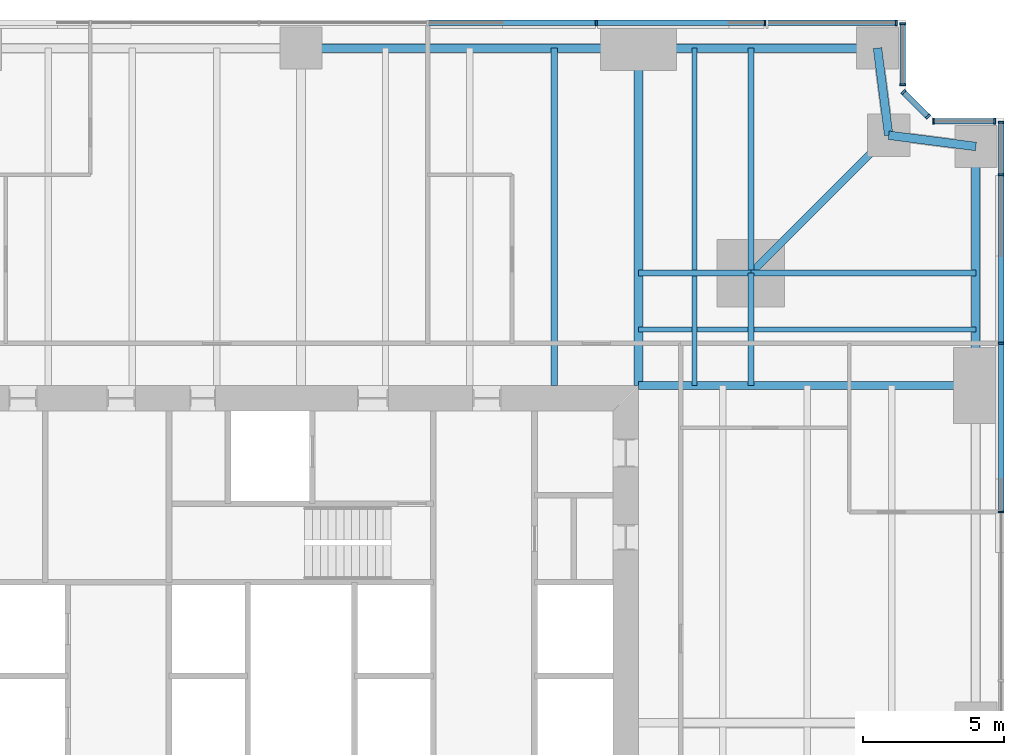
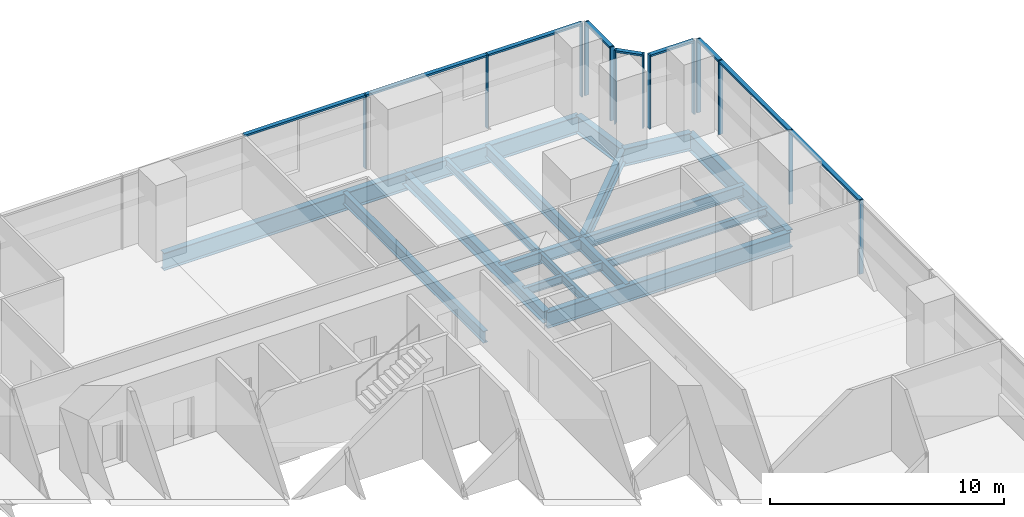
# One storey, part 7 of 15: 22 members, 18 beams, 5 elements without a shape of their own.
"""IFC4 building model written with IfcOpenShell, lengths in metres."""

from ifc_helpers import new_model, si_unit, direction, frame, origin, origin_2d, place, context, subcontext, project, spatial, rectangle, i_section, extrude, material, material_profile, profile_set, type_object, element, aggregate, save


model = new_model("IFC4")

# Units and contexts
model_context = context("Model", 3, precision=1e-05, world=origin(), true_north=direction((0.0, 1.0)))
body_context = subcontext(model_context, "Body", "Model", "MODEL_VIEW")
ifc_project = project(units=[si_unit("LENGTHUNIT", "METRE"), si_unit("AREAUNIT", "SQUARE_METRE"), si_unit("VOLUMEUNIT", "CUBIC_METRE"), si_unit("PLANEANGLEUNIT", "RADIAN"), si_unit("MASSUNIT", "GRAM", prefix="KILO")], contexts=[model_context])

# Site, building, storey
site_placement = place(None, origin())
site = spatial("IfcSite", under=ifc_project, at=site_placement, CompositionType="ELEMENT")
building_placement = place(site_placement, origin())
building = spatial("IfcBuilding", under=site, at=building_placement, Name="Fenwick Lantern Interchange", CompositionType="ELEMENT")
storey_placement = place(building_placement, frame((0.0, 0.0, 51.0)))
storey = spatial("IfcBuildingStorey", under=building, at=storey_placement, Name="L11", CompositionType="ELEMENT", Elevation=51.0)

# Beams
ifc_material_1 = material(Name="Steel ASTM A992 Grade 50", Category="steel")
ifc_material_profile_1 = material_profile(ifc_material_1, i_section(OverallWidth=0.3046875, OverallDepth=0.911865234375, WebThickness=0.015869140625, FlangeThickness=0.02392578125, at=origin_2d()), Name="W36X150")
ifc_profile_set_1 = profile_set([ifc_material_profile_1], Name="Steel ASTM A992 Grade 50")
beam_type_1 = type_object("IfcBeamType", Name="EDGE BEAM W36X150", PredefinedType="SPANDREL", material=ifc_profile_set_1)
beam_1_placement = place(storey_placement, frame((49.0, 37.0, -0.60595703125), z_axis=(0.0, 1.0, 0.0), x_axis=(-1.0, 0.0, 0.0)))
element("IfcBeam", 1, at=beam_1_placement, inside=storey, type_object=beam_type_1, Name="L11/FR/E/EB4", PredefinedType="SPANDREL", context=body_context, shape_type="SweptSolid", body=[
    extrude(i_section(OverallWidth=0.3046875, OverallDepth=0.911865234375, WebThickness=0.015869140625, FlangeThickness=0.02392578125, at=origin_2d()), origin(), (0.0, 0.0, 1.0), 8.5),
])
for number, where, z_axis, x_axis, name in (
    (2, (49.0, 45.5, -0.60595703125), (-0.991782342897, 0.127936641807, 0.0), (-0.127936641807, -0.991782342897, 0.0), "L11/FR/E/EBR1"),
    (3, (45.89990234375, 45.89990234375, -0.60595703125), (-0.127936641807, 0.991782342897, 0.0), (-0.991782342897, -0.127936641807, 0.0), "L11/FR/E/EBR2"),
):
    element("IfcBeam", number, at=place(storey_placement, frame(where, z_axis=z_axis, x_axis=x_axis)), inside=storey, type_object=beam_type_1, Name=name, PredefinedType="SPANDREL", context=body_context, shape_type="SweptSolid", body=[
        extrude(i_section(OverallWidth=0.3046875, OverallDepth=0.911865234375, WebThickness=0.015869140625, FlangeThickness=0.02392578125, at=origin_2d()), origin(), (0.0, 0.0, 1.0), 3.125732421875),
    ])
beam_2_placement = place(storey_placement, frame((45.5, 49.0, -0.60595703125), z_axis=(-1.0, 0.0, 0.0), x_axis=(0.0, -1.0, 0.0)))
element("IfcBeam", 4, at=beam_2_placement, inside=storey, type_object=beam_type_1, Name="L11/FR/N/EB1", PredefinedType="SPANDREL", context=body_context, shape_type="SweptSolid", body=[
    extrude(i_section(OverallWidth=0.3046875, OverallDepth=0.911865234375, WebThickness=0.015869140625, FlangeThickness=0.02392578125, at=origin_2d()), origin(), (0.0, 0.0, 1.0), 8.5),
])
beam_3_placement = place(storey_placement, frame((37.0, 49.0, -0.60595703125), z_axis=(-1.0, 0.0, 0.0), x_axis=(0.0, -1.0, 0.0)))
element("IfcBeam", 5, at=beam_3_placement, inside=storey, type_object=beam_type_1, Name="L11/FR/N/EB2", PredefinedType="SPANDREL", context=body_context, shape_type="SweptSolid", body=[
    extrude(i_section(OverallWidth=0.3046875, OverallDepth=0.911865234375, WebThickness=0.015869140625, FlangeThickness=0.02392578125, at=origin_2d()), origin(), (0.0, 0.0, 1.0), 12.0),
])
ifc_material_profile_2 = material_profile(ifc_material_1, i_section(OverallWidth=0.22900390625, OverallDepth=0.612060546875, WebThickness=0.011962890625, FlangeThickness=0.01953125, at=origin_2d()), Name="W24X84")
ifc_profile_set_2 = profile_set([ifc_material_profile_2], Name="Steel ASTM A992 Grade 50")
beam_type_2 = type_object("IfcBeamType", Name="FLOOR BEAM W24X84", PredefinedType="BEAM", material=ifc_profile_set_2)
beam_4_placement = place(storey_placement, frame((34.0, 49.0, -0.4560546875), z_axis=(0.0, -1.0, 0.0), x_axis=(1.0, 0.0, 0.0)))
element("IfcBeam", 6, at=beam_4_placement, inside=storey, type_object=beam_type_2, Name="L11/FR/N/R02", PredefinedType="BEAM", context=body_context, shape_type="SweptSolid", body=[
    extrude(i_section(OverallWidth=0.22900390625, OverallDepth=0.612060546875, WebThickness=0.011962890625, FlangeThickness=0.01953125, at=origin_2d()), origin(), (0.0, 0.0, 1.0), 12.0),
])
ifc_material_profile_3 = material_profile(ifc_material_1, i_section(OverallWidth=0.177734375, OverallDepth=0.406494140625, WebThickness=0.0078125, FlangeThickness=0.012939453125, at=origin_2d()), Name="W16X40")
ifc_profile_set_3 = profile_set([ifc_material_profile_3], Name="Steel ASTM A992 Grade 50")
beam_type_3 = type_object("IfcBeamType", Name="INFILL BEAM W16X40", PredefinedType="JOIST", material=ifc_profile_set_3)
beam_5_placement = place(storey_placement, frame((39.0, 49.0, -0.353271484375), z_axis=(0.0, -1.0, 0.0), x_axis=(1.0, 0.0, 0.0)))
element("IfcBeam", 7, at=beam_5_placement, inside=storey, type_object=beam_type_3, Name="L11/FR/N/J1", PredefinedType="JOIST", context=body_context, shape_type="SweptSolid", body=[
    extrude(i_section(OverallWidth=0.177734375, OverallDepth=0.406494140625, WebThickness=0.0078125, FlangeThickness=0.012939453125, at=origin_2d()), origin(), (0.0, 0.0, 1.0), 7.885498046875),
])
beam_6_placement = place(storey_placement, frame((39.0, 40.885498046875, -0.353271484375), z_axis=(0.0, -1.0, 0.0), x_axis=(1.0, 0.0, 0.0)))
element("IfcBeam", 8, at=beam_6_placement, inside=storey, type_object=beam_type_3, Name="L11/FR/N/J2", PredefinedType="JOIST", context=body_context, shape_type="SweptSolid", body=[
    extrude(i_section(OverallWidth=0.177734375, OverallDepth=0.406494140625, WebThickness=0.0078125, FlangeThickness=0.012939453125, at=origin_2d()), origin(), (0.0, 0.0, 1.0), 3.885498046875),
])
beam_7_placement = place(storey_placement, frame((49.0, 39.0, -0.353271484375), z_axis=(-1.0, 0.0, 0.0), x_axis=(0.0, -1.0, 0.0)))
element("IfcBeam", 9, at=beam_7_placement, inside=storey, type_object=beam_type_3, Name="L11/FR/N/J3", PredefinedType="JOIST", context=body_context, shape_type="SweptSolid", body=[
    extrude(i_section(OverallWidth=0.177734375, OverallDepth=0.406494140625, WebThickness=0.0078125, FlangeThickness=0.012939453125, at=origin_2d()), origin(), (0.0, 0.0, 1.0), 7.885498046875),
])
beam_8_placement = place(storey_placement, frame((40.885498046875, 39.0, -0.353271484375), z_axis=(-1.0, 0.0, 0.0), x_axis=(0.0, -1.0, 0.0)))
element("IfcBeam", 10, at=beam_8_placement, inside=storey, type_object=beam_type_3, Name="L11/FR/N/J4", PredefinedType="JOIST", context=body_context, shape_type="SweptSolid", body=[
    extrude(i_section(OverallWidth=0.177734375, OverallDepth=0.406494140625, WebThickness=0.0078125, FlangeThickness=0.012939453125, at=origin_2d()), origin(), (0.0, 0.0, 1.0), 1.796630859375),
])
beam_9_placement = place(storey_placement, frame((38.9111328125, 39.0, -0.353271484375), z_axis=(-1.0, 0.0, 0.0), x_axis=(0.0, -1.0, 0.0)))
element("IfcBeam", 11, at=beam_9_placement, inside=storey, type_object=beam_type_3, Name="L11/FR/N/J5", PredefinedType="JOIST", context=body_context, shape_type="SweptSolid", body=[
    extrude(i_section(OverallWidth=0.177734375, OverallDepth=0.406494140625, WebThickness=0.0078125, FlangeThickness=0.012939453125, at=origin_2d()), origin(), (0.0, 0.0, 1.0), 1.9111328125),
])
ifc_material_profile_4 = material_profile(ifc_material_1, i_section(OverallWidth=0.22900390625, OverallDepth=0.612060546875, WebThickness=0.011962890625, FlangeThickness=0.01953125, at=origin_2d()), Name="W24X84")
ifc_profile_set_4 = profile_set([ifc_material_profile_4], Name="Steel ASTM A992 Grade 50")
beam_type_4 = type_object("IfcBeamType", Name="MEGA COLUMN BEAM W24X84", PredefinedType="BEAM", material=ifc_profile_set_4)
for number, where, z_axis, x_axis, name in (
    (12, (41.0, 41.0, -0.4560546875), (0.0, 1.0, 0.0), (-1.0, 0.0, 0.0), "L11/FR/N/MB1"),
    (13, (41.0, 41.0, -0.4560546875), (1.0, 0.0, 0.0), (0.0, 1.0, 0.0), "L11/FR/N/MB2"),
):
    element("IfcBeam", number, at=place(storey_placement, frame(where, z_axis=z_axis, x_axis=x_axis)), inside=storey, type_object=beam_type_4, Name=name, PredefinedType="BEAM", context=body_context, shape_type="SweptSolid", body=[
        extrude(i_section(OverallWidth=0.22900390625, OverallDepth=0.612060546875, WebThickness=0.011962890625, FlangeThickness=0.01953125, at=origin_2d()), origin(), (0.0, 0.0, 1.0), 8.0),
    ])
for number, where, z_axis, x_axis, name in (
    (14, (41.0, 41.0, -0.4560546875), (-1.0, 0.0, 0.0), (0.0, -1.0, 0.0), "L11/FR/N/MB3"),
    (15, (41.0, 41.0, -0.4560546875), (0.0, -1.0, 0.0), (1.0, 0.0, 0.0), "L11/FR/N/MB4"),
):
    element("IfcBeam", number, at=place(storey_placement, frame(where, z_axis=z_axis, x_axis=x_axis)), inside=storey, type_object=beam_type_4, Name=name, PredefinedType="BEAM", context=body_context, shape_type="SweptSolid", body=[
        extrude(i_section(OverallWidth=0.22900390625, OverallDepth=0.612060546875, WebThickness=0.011962890625, FlangeThickness=0.01953125, at=origin_2d()), origin(), (0.0, 0.0, 1.0), 4.0),
    ])
ifc_material_profile_5 = material_profile(ifc_material_1, i_section(OverallWidth=0.32763671875, OverallDepth=0.622314453125, WebThickness=0.015380859375, FlangeThickness=0.0244140625, at=origin_2d()), Name="W24X131")
ifc_profile_set_5 = profile_set([ifc_material_profile_5], Name="Steel ASTM A992 Grade 50")
beam_type_5 = type_object("IfcBeamType", Name="MOMENT-CONNECTED GIRDER W24X131", PredefinedType="BEAM", material=ifc_profile_set_5)
beam_10_placement = place(storey_placement, frame((37.0, 49.0, -0.461181640625), z_axis=(0.0, -1.0, 0.0), x_axis=(1.0, 0.0, 0.0)))
element("IfcBeam", 16, at=beam_10_placement, inside=storey, type_object=beam_type_5, Name="L11/FR/N/R01", PredefinedType="BEAM", context=body_context, shape_type="SweptSolid", body=[
    extrude(i_section(OverallWidth=0.32763671875, OverallDepth=0.622314453125, WebThickness=0.015380859375, FlangeThickness=0.0244140625, at=origin_2d()), origin(), (0.0, 0.0, 1.0), 12.0),
])
ifc_material_profile_6 = material_profile(ifc_material_1, i_section(OverallWidth=0.2919921875, OverallDepth=0.845703125, WebThickness=0.015380859375, FlangeThickness=0.0244140625, at=origin_2d()), Name="W33X141")
ifc_profile_set_6 = profile_set([ifc_material_profile_6], Name="Steel ASTM A992 Grade 50")
beam_type_6 = type_object("IfcBeamType", Name="MOMENT-CONNECTED GIRDER W33X141", PredefinedType="BEAM", material=ifc_profile_set_6)
beam_11_placement = place(storey_placement, frame((49.0, 37.0, -0.572998046875), z_axis=(-1.0, 0.0, 0.0), x_axis=(0.0, -1.0, 0.0)))
element("IfcBeam", 17, at=beam_11_placement, inside=storey, type_object=beam_type_6, Name="L11/FR/E/R03", PredefinedType="BEAM", context=body_context, shape_type="SweptSolid", body=[
    extrude(i_section(OverallWidth=0.2919921875, OverallDepth=0.845703125, WebThickness=0.015380859375, FlangeThickness=0.0244140625, at=origin_2d()), origin(), (0.0, 0.0, 1.0), 12.0),
])
ifc_material_profile_7 = material_profile(ifc_material_1, i_section(OverallWidth=0.2666015625, OverallDepth=0.7568359375, WebThickness=0.013916015625, FlangeThickness=0.019287109375, at=origin_2d()), Name="W30X108")
ifc_profile_set_7 = profile_set([ifc_material_profile_7], Name="Steel ASTM A992 Grade 50")
beam_type_7 = type_object("IfcBeamType", Name="NOTCH BEAM W30X108", PredefinedType="BEAM", material=ifc_profile_set_7)
beam_12_placement = place(storey_placement, frame((41.0, 41.0, -0.528564453125), z_axis=(0.707106781187, 0.707106781187, 0.0), x_axis=(-0.707106781187, 0.707106781187, 0.0)))
element("IfcBeam", 18, at=beam_12_placement, inside=storey, type_object=beam_type_7, Name="L11/FR/N/TG", PredefinedType="BEAM", context=body_context, shape_type="SweptSolid", body=[
    extrude(i_section(OverallWidth=0.2666015625, OverallDepth=0.7568359375, WebThickness=0.013916015625, FlangeThickness=0.019287109375, at=origin_2d()), origin(), (0.0, 0.0, 1.0), 6.929443359375),
])

# Curtain wall, members
ifc_material_2 = material(Name="Aluminium curtain wall frame", Category="aluminium")
curtain_wall_type = type_object("IfcCurtainWallType", Name="OFFICE CURTAIN WALL", PredefinedType="USERDEFINED", material=ifc_material_2)
curtain_wall_1_placement = place(storey_placement, origin())
curtain_wall_1 = element("IfcCurtainWall", 19, at=curtain_wall_1_placement, inside=storey, type_object=curtain_wall_type, Name="Office curtain wall 05", ObjectType="OFFICE CURTAIN WALL", PredefinedType="USERDEFINED")
ifc_material_3 = material(Name="Aluminium extrusion", Category="aluminium")
ifc_material_profile_8 = material_profile(ifc_material_3, rectangle(XDim=0.199951171875, YDim=0.06494140625, at=origin_2d()), Name="OFFICE CURTAIN WALL MULLION 65 X 200")
ifc_profile_set_8 = profile_set([ifc_material_profile_8], Name="Aluminium extrusion")
member_type_1 = type_object("IfcMemberType", Name="OFFICE CURTAIN WALL MULLION 65 X 200", PredefinedType="MULLION", material=ifc_profile_set_8)
member_1_placement = place(storey_placement, frame((49.89990234375, 32.5, 0.0), z_axis=(0.0, 0.0, 1.0), x_axis=(-1.0, 0.0, 0.0)))
member_1 = element("IfcMember", 20, at=member_1_placement, type_object=member_type_1, Name="L11/CW/05/M05", PredefinedType="MULLION", context=body_context, shape_type="SweptSolid", body=[
    extrude(rectangle(XDim=0.199951171875, YDim=0.06494140625, at=origin_2d()), origin(), (0.0, 0.0, 1.0), 3.85009765625),
])
member_2_placement = place(storey_placement, frame((49.89990234375, 38.5, 0.0), z_axis=(0.0, 0.0, 1.0), x_axis=(-1.0, 0.0, 0.0)))
member_2 = element("IfcMember", 21, at=member_2_placement, type_object=member_type_1, Name="L11/CW/05/M06", PredefinedType="MULLION", context=body_context, shape_type="SweptSolid", body=[
    extrude(rectangle(XDim=0.199951171875, YDim=0.06494140625, at=origin_2d()), origin(), (0.0, 0.0, 1.0), 3.85009765625),
])
member_3_placement = place(storey_placement, frame((49.89990234375, 44.5, 0.0), z_axis=(0.0, 0.0, 1.0), x_axis=(-1.0, 0.0, 0.0)))
member_3 = element("IfcMember", 22, at=member_3_placement, type_object=member_type_1, Name="L11/CW/05/M07", PredefinedType="MULLION", context=body_context, shape_type="SweptSolid", body=[
    extrude(rectangle(XDim=0.199951171875, YDim=0.06494140625, at=origin_2d()), origin(), (0.0, 0.0, 1.0), 3.85009765625),
])
member_4_placement = place(storey_placement, frame((49.89990234375, 46.367431640625, 0.0), z_axis=(0.0, 0.0, 1.0), x_axis=(-1.0, 0.0, 0.0)))
member_4 = element("IfcMember", 23, at=member_4_placement, type_object=member_type_1, Name="L11/CW/05/M08", PredefinedType="MULLION", context=body_context, shape_type="SweptSolid", body=[
    extrude(rectangle(XDim=0.199951171875, YDim=0.06494140625, at=origin_2d()), origin(), (0.0, 0.0, 1.0), 3.85009765625),
])

curtain_wall_2_placement = place(storey_placement, origin())
curtain_wall_2 = element("IfcCurtainWall", 24, at=curtain_wall_2_placement, inside=storey, type_object=curtain_wall_type, Name="Office curtain wall 06", ObjectType="OFFICE CURTAIN WALL", PredefinedType="USERDEFINED")
member_5_placement = place(storey_placement, frame((49.66748046875, 46.39990234375, 0.0), z_axis=(0.0, 0.0, 1.0), x_axis=(0.0, -1.0, 0.0)))
member_5 = element("IfcMember", 25, at=member_5_placement, type_object=member_type_1, Name="L11/CW/06/M00", PredefinedType="MULLION", context=body_context, shape_type="SweptSolid", body=[
    extrude(rectangle(XDim=0.199951171875, YDim=0.06494140625, at=origin_2d()), origin(), (0.0, 0.0, 1.0), 3.85009765625),
])
member_6_placement = place(storey_placement, frame((47.490966796875, 46.39990234375, 0.0), z_axis=(0.0, 0.0, 1.0), x_axis=(0.0, -1.0, 0.0)))
member_6 = element("IfcMember", 26, at=member_6_placement, type_object=member_type_1, Name="L11/CW/06/M01", PredefinedType="MULLION", context=body_context, shape_type="SweptSolid", body=[
    extrude(rectangle(XDim=0.199951171875, YDim=0.06494140625, at=origin_2d()), origin(), (0.0, 0.0, 1.0), 3.85009765625),
])

curtain_wall_3_placement = place(storey_placement, origin())
curtain_wall_3 = element("IfcCurtainWall", 27, at=curtain_wall_3_placement, inside=storey, type_object=curtain_wall_type, Name="Office curtain wall 07", ObjectType="OFFICE CURTAIN WALL", PredefinedType="USERDEFINED")
member_7_placement = place(storey_placement, frame((47.294189453125, 46.564453125, 0.0), z_axis=(0.0, 0.0, 1.0), x_axis=(-0.707106781187, -0.707106781187, 0.0)))
member_7 = element("IfcMember", 28, at=member_7_placement, type_object=member_type_1, Name="L11/CW/07/M00", PredefinedType="MULLION", context=body_context, shape_type="SweptSolid", body=[
    extrude(rectangle(XDim=0.199951171875, YDim=0.06494140625, at=origin_2d()), origin(), (0.0, 0.0, 1.0), 3.85009765625),
])
member_8_placement = place(storey_placement, frame((46.423095703125, 47.435546875, 0.0), z_axis=(0.0, 0.0, 1.0), x_axis=(-0.707106781187, -0.707106781187, 0.0)))
member_8 = element("IfcMember", 29, at=member_8_placement, type_object=member_type_1, Name="L11/CW/07/M01", PredefinedType="MULLION", context=body_context, shape_type="SweptSolid", body=[
    extrude(rectangle(XDim=0.199951171875, YDim=0.06494140625, at=origin_2d()), origin(), (0.0, 0.0, 1.0), 3.85009765625),
])

curtain_wall_4_placement = place(storey_placement, origin())
curtain_wall_4 = element("IfcCurtainWall", 30, at=curtain_wall_4_placement, inside=storey, type_object=curtain_wall_type, Name="Office curtain wall 08", ObjectType="OFFICE CURTAIN WALL", PredefinedType="USERDEFINED")
member_9_placement = place(storey_placement, frame((46.39990234375, 47.691162109375, 0.0), z_axis=(0.0, 0.0, 1.0), x_axis=(-1.0, 0.0, 0.0)))
member_9 = element("IfcMember", 31, at=member_9_placement, type_object=member_type_1, Name="L11/CW/08/M00", PredefinedType="MULLION", context=body_context, shape_type="SweptSolid", body=[
    extrude(rectangle(XDim=0.199951171875, YDim=0.06494140625, at=origin_2d()), origin(), (0.0, 0.0, 1.0), 3.85009765625),
])
member_10_placement = place(storey_placement, frame((46.39990234375, 49.867431640625, 0.0), z_axis=(0.0, 0.0, 1.0), x_axis=(-1.0, 0.0, 0.0)))
member_10 = element("IfcMember", 32, at=member_10_placement, type_object=member_type_1, Name="L11/CW/08/M01", PredefinedType="MULLION", context=body_context, shape_type="SweptSolid", body=[
    extrude(rectangle(XDim=0.199951171875, YDim=0.06494140625, at=origin_2d()), origin(), (0.0, 0.0, 1.0), 3.85009765625),
])

curtain_wall_5_placement = place(storey_placement, origin())
curtain_wall_5 = element("IfcCurtainWall", 33, at=curtain_wall_5_placement, inside=storey, type_object=curtain_wall_type, Name="Office curtain wall 09", ObjectType="OFFICE CURTAIN WALL", PredefinedType="USERDEFINED")
member_11_placement = place(storey_placement, frame((46.16748046875, 49.89990234375, 0.0), z_axis=(0.0, 0.0, 1.0), x_axis=(0.0, -1.0, 0.0)))
member_11 = element("IfcMember", 34, at=member_11_placement, type_object=member_type_1, Name="L11/CW/09/M00", PredefinedType="MULLION", context=body_context, shape_type="SweptSolid", body=[
    extrude(rectangle(XDim=0.199951171875, YDim=0.06494140625, at=origin_2d()), origin(), (0.0, 0.0, 1.0), 3.85009765625),
])
member_12_placement = place(storey_placement, frame((41.5, 49.89990234375, 0.0), z_axis=(0.0, 0.0, 1.0), x_axis=(0.0, -1.0, 0.0)))
member_12 = element("IfcMember", 35, at=member_12_placement, type_object=member_type_1, Name="L11/CW/09/M01", PredefinedType="MULLION", context=body_context, shape_type="SweptSolid", body=[
    extrude(rectangle(XDim=0.199951171875, YDim=0.06494140625, at=origin_2d()), origin(), (0.0, 0.0, 1.0), 3.85009765625),
])
member_13_placement = place(storey_placement, frame((35.5, 49.89990234375, 0.0), z_axis=(0.0, 0.0, 1.0), x_axis=(0.0, -1.0, 0.0)))
member_13 = element("IfcMember", 36, at=member_13_placement, type_object=member_type_1, Name="L11/CW/09/M02", PredefinedType="MULLION", context=body_context, shape_type="SweptSolid", body=[
    extrude(rectangle(XDim=0.199951171875, YDim=0.06494140625, at=origin_2d()), origin(), (0.0, 0.0, 1.0), 3.85009765625),
])

# Member
ifc_material_profile_9 = material_profile(ifc_material_3, rectangle(XDim=0.199951171875, YDim=0.10009765625, at=origin_2d()), Name="OFFICE CURTAIN WALL TRANSOM 100 X 200")
ifc_profile_set_9 = profile_set([ifc_material_profile_9], Name="Aluminium extrusion")
member_type_2 = type_object("IfcMemberType", Name="OFFICE CURTAIN WALL TRANSOM 100 X 200", PredefinedType="MULLION", material=ifc_profile_set_9)
member_14_placement = place(storey_placement, frame((49.89990234375, 32.532470703125, 3.800048828125), z_axis=(0.0, 1.0, 0.0), x_axis=(-1.0, 0.0, 0.0)))
member_14 = element("IfcMember", 37, at=member_14_placement, type_object=member_type_2, Name="L11/CW/05/T05", PredefinedType="MULLION", context=body_context, shape_type="SweptSolid", body=[
    extrude(rectangle(XDim=0.199951171875, YDim=0.10009765625, at=origin_2d()), origin(), (0.0, 0.0, 1.0), 5.93505859375),
])

member_15_placement = place(storey_placement, frame((49.89990234375, 38.532470703125, 3.800048828125), z_axis=(0.0, 1.0, 0.0), x_axis=(-1.0, 0.0, 0.0)))
member_15 = element("IfcMember", 38, at=member_15_placement, type_object=member_type_2, Name="L11/CW/05/T06", PredefinedType="MULLION", context=body_context, shape_type="SweptSolid", body=[
    extrude(rectangle(XDim=0.199951171875, YDim=0.10009765625, at=origin_2d()), origin(), (0.0, 0.0, 1.0), 5.93505859375),
])

member_16_placement = place(storey_placement, frame((49.89990234375, 44.532470703125, 3.800048828125), z_axis=(0.0, 1.0, 0.0), x_axis=(-1.0, 0.0, 0.0)))
member_16 = element("IfcMember", 39, at=member_16_placement, type_object=member_type_2, Name="L11/CW/05/T07", PredefinedType="MULLION", context=body_context, shape_type="SweptSolid", body=[
    extrude(rectangle(XDim=0.199951171875, YDim=0.10009765625, at=origin_2d()), origin(), (0.0, 0.0, 1.0), 1.802490234375),
])

aggregate(curtain_wall_1, [member_1, member_2, member_3, member_4, member_14, member_15, member_16])

member_17_placement = place(storey_placement, frame((49.635009765625, 46.39990234375, 3.800048828125), z_axis=(-1.0, 0.0, 0.0), x_axis=(0.0, -1.0, 0.0)))
member_17 = element("IfcMember", 40, at=member_17_placement, type_object=member_type_2, Name="L11/CW/06/T00", PredefinedType="MULLION", context=body_context, shape_type="SweptSolid", body=[
    extrude(rectangle(XDim=0.199951171875, YDim=0.10009765625, at=origin_2d()), origin(), (0.0, 0.0, 1.0), 2.111328125),
])

aggregate(curtain_wall_2, [member_5, member_6, member_17])

member_18_placement = place(storey_placement, frame((47.271240234375, 46.58740234375, 3.800048828125), z_axis=(-0.707106781187, 0.707106781187, 0.0), x_axis=(-0.707106781187, -0.707106781187, 0.0)))
member_18 = element("IfcMember", 41, at=member_18_placement, type_object=member_type_2, Name="L11/CW/07/T00", PredefinedType="MULLION", context=body_context, shape_type="SweptSolid", body=[
    extrude(rectangle(XDim=0.199951171875, YDim=0.10009765625, at=origin_2d()), origin(), (0.0, 0.0, 1.0), 1.1669921875),
])

aggregate(curtain_wall_3, [member_7, member_8, member_18])

member_19_placement = place(storey_placement, frame((46.39990234375, 47.7236328125, 3.800048828125), z_axis=(0.0, 1.0, 0.0), x_axis=(-1.0, 0.0, 0.0)))
member_19 = element("IfcMember", 42, at=member_19_placement, type_object=member_type_2, Name="L11/CW/08/T00", PredefinedType="MULLION", context=body_context, shape_type="SweptSolid", body=[
    extrude(rectangle(XDim=0.199951171875, YDim=0.10009765625, at=origin_2d()), origin(), (0.0, 0.0, 1.0), 2.111328125),
])

aggregate(curtain_wall_4, [member_9, member_10, member_19])

member_20_placement = place(storey_placement, frame((46.135009765625, 49.89990234375, 3.800048828125), z_axis=(-1.0, 0.0, 0.0), x_axis=(0.0, -1.0, 0.0)))
member_20 = element("IfcMember", 43, at=member_20_placement, type_object=member_type_2, Name="L11/CW/09/T00", PredefinedType="MULLION", context=body_context, shape_type="SweptSolid", body=[
    extrude(rectangle(XDim=0.199951171875, YDim=0.10009765625, at=origin_2d()), origin(), (0.0, 0.0, 1.0), 4.6025390625),
])

member_21_placement = place(storey_placement, frame((41.467529296875, 49.89990234375, 3.800048828125), z_axis=(-1.0, 0.0, 0.0), x_axis=(0.0, -1.0, 0.0)))
member_21 = element("IfcMember", 44, at=member_21_placement, type_object=member_type_2, Name="L11/CW/09/T01", PredefinedType="MULLION", context=body_context, shape_type="SweptSolid", body=[
    extrude(rectangle(XDim=0.199951171875, YDim=0.10009765625, at=origin_2d()), origin(), (0.0, 0.0, 1.0), 5.93505859375),
])

member_22_placement = place(storey_placement, frame((35.467529296875, 49.89990234375, 3.800048828125), z_axis=(-1.0, 0.0, 0.0), x_axis=(0.0, -1.0, 0.0)))
member_22 = element("IfcMember", 45, at=member_22_placement, type_object=member_type_2, Name="L11/CW/09/T02", PredefinedType="MULLION", context=body_context, shape_type="SweptSolid", body=[
    extrude(rectangle(XDim=0.199951171875, YDim=0.10009765625, at=origin_2d()), origin(), (0.0, 0.0, 1.0), 5.93505859375),
])

aggregate(curtain_wall_5, [member_11, member_12, member_13, member_20, member_21, member_22])

save(model, "model.ifc")
